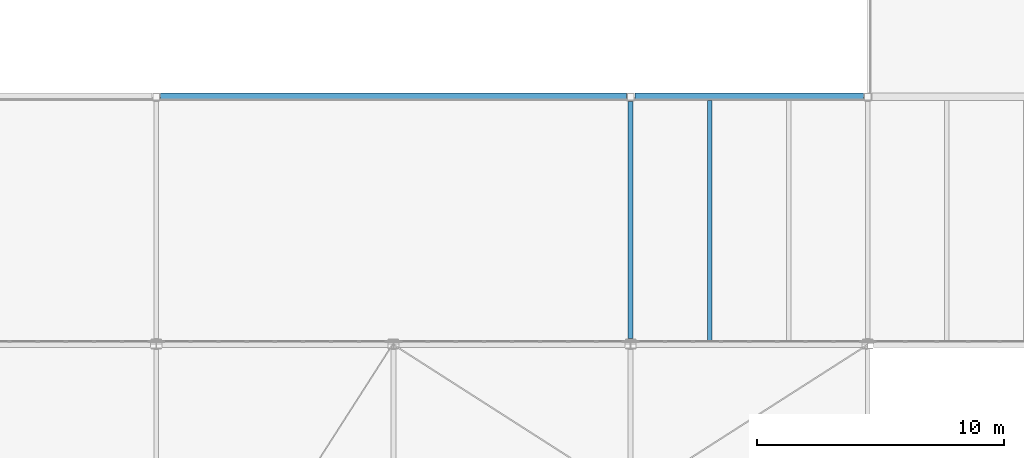
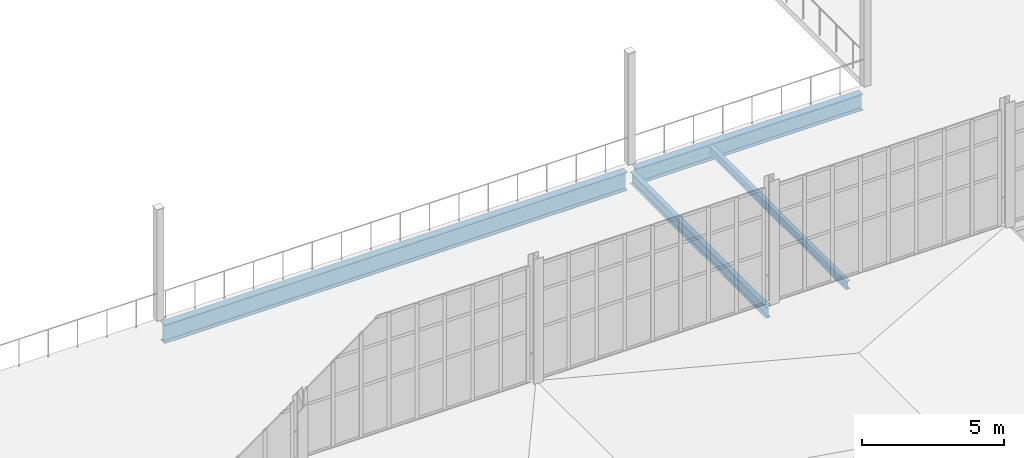
# One storey, part 37 of 112: 4 beams.
"""IFC4 building model written with IfcOpenShell, lengths in metres."""

from ifc_helpers import new_model, si_unit, direction, frame, origin, origin_2d, place, context, subcontext, project, spatial, i_section, extrude, material, material_profile, profile_set, type_object, element, save


model = new_model("IFC4")

# Units and contexts
model_context = context("Model", 3, precision=1e-05, world=origin(), true_north=direction((0.0, 1.0)))
body_context = subcontext(model_context, "Body", "Model", "MODEL_VIEW")
ifc_project = project(units=[si_unit("LENGTHUNIT", "METRE"), si_unit("AREAUNIT", "SQUARE_METRE"), si_unit("VOLUMEUNIT", "CUBIC_METRE"), si_unit("PLANEANGLEUNIT", "RADIAN"), si_unit("MASSUNIT", "GRAM", prefix="KILO")], contexts=[model_context])

# Site, building, storey
site_placement = place(None, origin())
site = spatial("IfcSite", under=ifc_project, at=site_placement, CompositionType="ELEMENT")
building_placement = place(site_placement, origin())
building = spatial("IfcBuilding", under=site, at=building_placement, Name="Yeouljin Market Hall", CompositionType="ELEMENT")
storey_placement = place(building_placement, frame((0.0, 0.0, 6.0)))
storey = spatial("IfcBuildingStorey", under=building, at=storey_placement, Name="L01", CompositionType="ELEMENT", Elevation=6.0)

# Beams
ifc_material_1 = material(Name="Steel SM355", Category="steel")
ifc_material_profile_1 = material_profile(ifc_material_1, i_section(OverallWidth=0.199951171875, OverallDepth=0.5, WebThickness=0.010009765625, FlangeThickness=0.01611328125, FilletRadius=0.02001953125, at=origin_2d()), Name="H-500x200x10x16")
ifc_profile_set_1 = profile_set([ifc_material_profile_1], Name="Steel SM355")
beam_type_1 = type_object("IfcBeamType", Name="Beam_H-500x200x10x16", PredefinedType="BEAM", material=ifc_profile_set_1)
beam_1_placement = place(storey_placement, frame((121.800048828125, 36.22509765625, -0.52001953125), z_axis=(0.0, 1.0, 0.0), x_axis=(-1.0, 0.0, 0.0)))
element("IfcBeam", 1, at=beam_1_placement, inside=storey, type_object=beam_type_1, Name="Primary beam BM-L01-Y194", PredefinedType="BEAM", context=body_context, shape_type="SweptSolid", body=[
    extrude(i_section(OverallWidth=0.199951171875, OverallDepth=0.5, WebThickness=0.010009765625, FlangeThickness=0.01611328125, FilletRadius=0.02001953125, at=origin_2d()), origin(), (0.0, 0.0, 1.0), 9.599853515625),
])
ifc_material_2 = material(Name="Steel SM355", Category="steel")
ifc_material_profile_2 = material_profile(ifc_material_2, i_section(OverallWidth=0.300048828125, OverallDepth=0.699951171875, WebThickness=0.012939453125, FlangeThickness=0.02392578125, FilletRadius=0.02587890625, at=origin_2d()), Name="H-700x300x13x24")
ifc_profile_set_2 = profile_set([ifc_material_profile_2], Name="Steel SM355")
beam_type_2 = type_object("IfcBeamType", Name="Girder_H-700x300x13x24", PredefinedType="USERDEFINED", material=ifc_profile_set_2)
beam_2_placement = place(storey_placement, frame((121.97509765625, 46.0, -0.6201171875), z_axis=(1.0, 0.0, 0.0), x_axis=(0.0, 1.0, 0.0)))
element("IfcBeam", 2, at=beam_2_placement, inside=storey, type_object=beam_type_2, Name="Primary girder GRD-L01-X067", ObjectType="GIRDER", PredefinedType="USERDEFINED", context=body_context, shape_type="SweptSolid", body=[
    extrude(i_section(OverallWidth=0.300048828125, OverallDepth=0.699951171875, WebThickness=0.012939453125, FlangeThickness=0.02392578125, FilletRadius=0.02587890625, at=origin_2d()), origin(), (0.0, 0.0, 1.0), 9.25),
])
ifc_material_3 = material(Name="Steel SM355", Category="steel")
ifc_material_profile_3 = material_profile(ifc_material_3, i_section(OverallWidth=0.300048828125, OverallDepth=0.800048828125, WebThickness=0.013916015625, FlangeThickness=0.02587890625, FilletRadius=0.028076171875, at=origin_2d()), Name="H-800x300x14x26")
ifc_profile_set_3 = profile_set([ifc_material_profile_3], Name="Steel SM355")
beam_type_3 = type_object("IfcBeamType", Name="Girder_H-800x300x14x26", PredefinedType="USERDEFINED", material=ifc_profile_set_3)
beam_3_placement = place(storey_placement, frame((102.77490234375, 46.0, -0.669921875), z_axis=(1.0, 0.0, 0.0), x_axis=(0.0, 1.0, 0.0)))
element("IfcBeam", 3, at=beam_3_placement, inside=storey, type_object=beam_type_3, Name="Primary girder GRD-L01-X066", ObjectType="GIRDER", PredefinedType="USERDEFINED", context=body_context, shape_type="SweptSolid", body=[
    extrude(i_section(OverallWidth=0.300048828125, OverallDepth=0.800048828125, WebThickness=0.013916015625, FlangeThickness=0.02587890625, FilletRadius=0.028076171875, at=origin_2d()), origin(), (0.0, 0.0, 1.0), 18.85009765625),
])
ifc_material_4 = material(Name="Steel SM355", Category="steel")
ifc_material_profile_4 = material_profile(ifc_material_4, i_section(OverallWidth=0.175048828125, OverallDepth=0.35009765625, WebThickness=0.007080078125, FlangeThickness=0.010986328125, FilletRadius=0.013916015625, at=origin_2d()), Name="H-350x175x7x11")
ifc_profile_set_4 = profile_set([ifc_material_profile_4], Name="Steel SM355")
beam_type_4 = type_object("IfcBeamType", Name="Joist_H-350x175x7x11", PredefinedType="JOIST", material=ifc_profile_set_4)
beam_4_placement = place(storey_placement, frame((125.0, 36.14697265625, -0.445068359375), z_axis=(0.0, 1.0, 0.0), x_axis=(-1.0, 0.0, 0.0)))
element("IfcBeam", 4, at=beam_4_placement, inside=storey, type_object=beam_type_4, Name="Secondary floor joist L01-082", PredefinedType="JOIST", context=body_context, shape_type="SweptSolid", body=[
    extrude(i_section(OverallWidth=0.175048828125, OverallDepth=0.35009765625, WebThickness=0.007080078125, FlangeThickness=0.010986328125, FilletRadius=0.013916015625, at=origin_2d()), origin(), (0.0, 0.0, 1.0), 9.7060546875),
])

save(model, "model.ifc")
